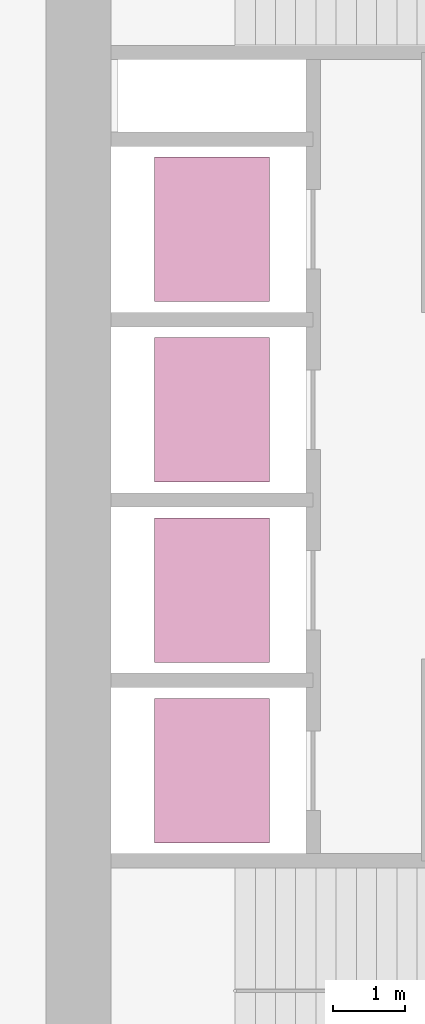
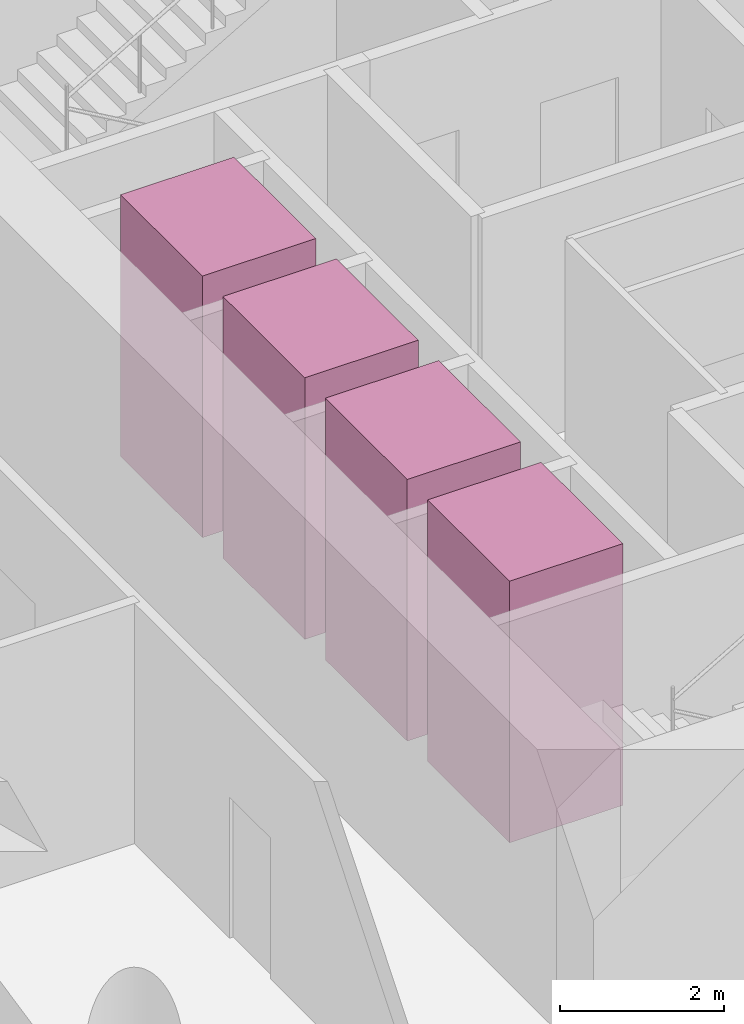
# One storey, part 11 of 11: 4 transport elements.
"""IFC4 building model written with IfcOpenShell, lengths in metres."""

from ifc_helpers import new_model, si_unit, direction, frame, origin, origin_2d, place, context, subcontext, project, spatial, rectangle, extrude, material, type_object, element, save


model = new_model("IFC4")

# Units and contexts
model_context = context("Model", 3, precision=1e-05, world=origin(), true_north=direction((0.0, 1.0)))
body_context = subcontext(model_context, "Body", "Model", "MODEL_VIEW")
ifc_project = project(units=[si_unit("LENGTHUNIT", "METRE"), si_unit("AREAUNIT", "SQUARE_METRE"), si_unit("VOLUMEUNIT", "CUBIC_METRE"), si_unit("PLANEANGLEUNIT", "RADIAN"), si_unit("MASSUNIT", "GRAM", prefix="KILO")], contexts=[model_context])

# Site, building, storey
site_placement = place(None, origin())
site = spatial("IfcSite", under=ifc_project, at=site_placement, CompositionType="ELEMENT")
building_placement = place(site_placement, origin())
building = spatial("IfcBuilding", under=site, at=building_placement, Name="Qaws Garden Tower", CompositionType="ELEMENT")
storey_placement = place(building_placement, frame((0.0, 0.0, 31.5)))
storey = spatial("IfcBuildingStorey", under=building, at=storey_placement, Name="L07", CompositionType="ELEMENT", Elevation=31.5)

# Transport elements
ifc_material = material(Name="Stainless steel 316", Category="steel")
transport_element_type = type_object("IfcTransportElementType", Name="Passenger lift car 2000x1600 1800 kg", PredefinedType="ELEVATOR", material=ifc_material)
for number, where, z_axis, x_axis, name in (
    (1, (10.300048828125, 13.64990234375, 0.0), (0.0, 0.0, 1.0), (1.0, 0.0, 0.0), "LR1"),
    (2, (10.300048828125, 16.14990234375, 0.0), (0.0, 0.0, 1.0), (1.0, 0.0, 0.0), "LR2"),
    (3, (10.300048828125, 18.64990234375, 0.0), (0.0, 0.0, 1.0), (1.0, 0.0, 0.0), "LR3"),
    (4, (10.300048828125, 21.14990234375, 0.0), (0.0, 0.0, 1.0), (1.0, 0.0, 0.0), "LR4"),
):
    element("IfcTransportElement", number, at=place(storey_placement, frame(where, z_axis=z_axis, x_axis=x_axis)), inside=storey, type_object=transport_element_type, Name=name, PredefinedType="ELEVATOR", context=body_context, shape_type="SweptSolid", body=[
        extrude(rectangle(XDim=1.60009765625, YDim=2.0, at=origin_2d()), origin(), (0.0, 0.0, 1.0), 3.89990234375),
    ])

save(model, "model.ifc")
